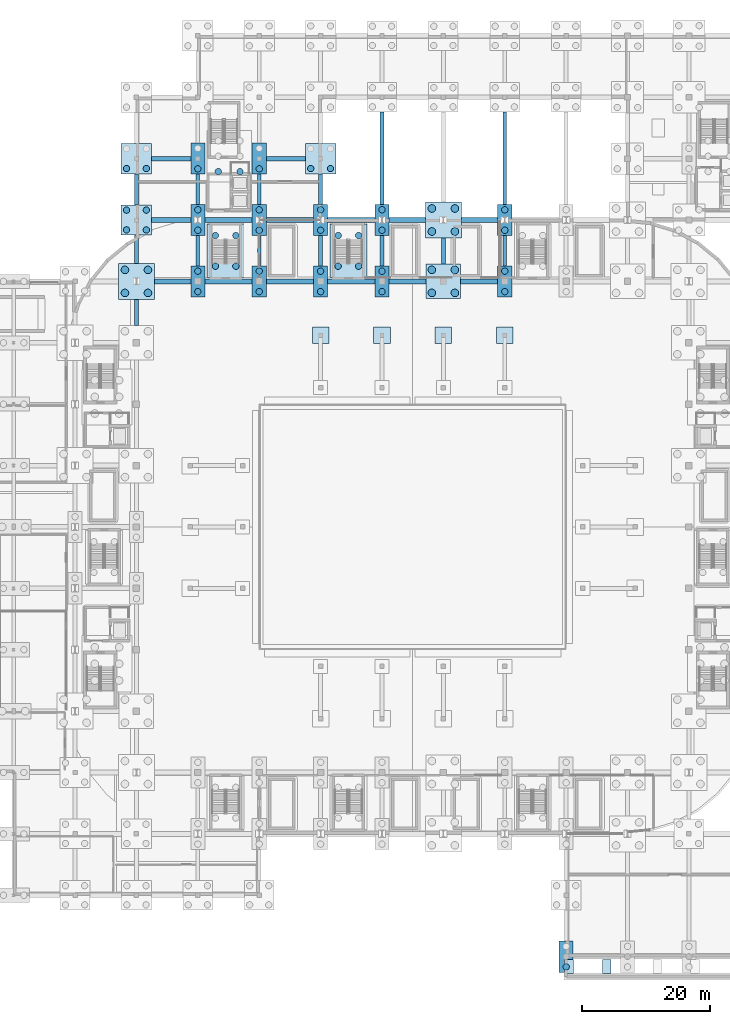
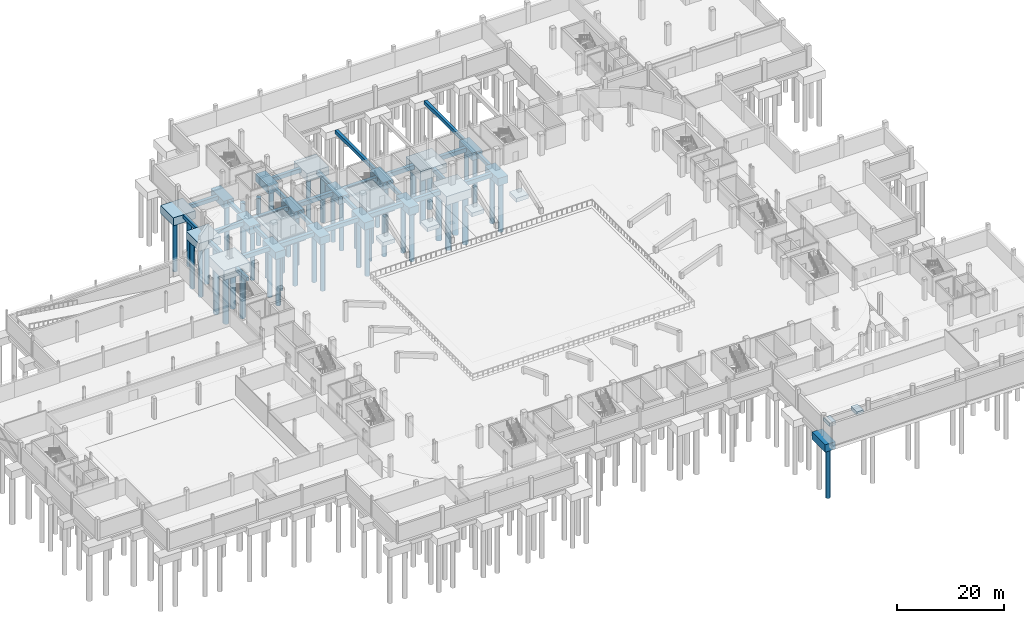
# One storey, part 5 of 67: 55 footings, 53 piles.
"""IFC4 building model written with IfcOpenShell, lengths in metres."""

from ifc_helpers import new_model, si_unit, direction, frame, origin, origin_2d, place, context, subcontext, project, spatial, polyline, rectangle, circle, outline, extrude, material, material_profile, profile_set, type_object, element, save


model = new_model("IFC4")

# Units and contexts
model_context = context("Model", 3, precision=1e-05, world=origin(), true_north=direction((0.0, 1.0)))
body_context = subcontext(model_context, "Body", "Model", "MODEL_VIEW")
ifc_project = project(units=[si_unit("LENGTHUNIT", "METRE"), si_unit("AREAUNIT", "SQUARE_METRE"), si_unit("VOLUMEUNIT", "CUBIC_METRE"), si_unit("PLANEANGLEUNIT", "RADIAN"), si_unit("MASSUNIT", "GRAM", prefix="KILO")], contexts=[model_context])

# Site, building, storey
site_placement = place(None, origin())
site = spatial("IfcSite", under=ifc_project, at=site_placement, CompositionType="ELEMENT")
building_placement = place(site_placement, origin())
building = spatial("IfcBuilding", under=site, at=building_placement, Name="Caelomonte Colonnade Arena", CompositionType="ELEMENT")
storey_placement = place(building_placement, frame((0.0, 0.0, -4.800048828125)))
storey = spatial("IfcBuildingStorey", under=building, at=storey_placement, Name="B1", CompositionType="ELEMENT", Elevation=-4.800048828125)

# Footings
ifc_material = material(Name="Concrete C40/50", Category="concrete")
footing_type_1 = type_object("IfcFootingType", Name="STR-FB-GB01", PredefinedType="FOOTING_BEAM", material=ifc_material)
footing_1_placement = place(storey_placement, frame((0.0, 0.0, -1.39990234375)))
element("IfcFooting", 1, at=footing_1_placement, inside=storey, type_object=footing_type_1, Name="Ground tie beam X (67.2..76.8, Y=105.6)", PredefinedType="FOOTING_BEAM", context=body_context, shape_type="SweptSolid", body=[
    extrude(outline(polyline([(70.0, 105.22509765625), (75.699951171875, 105.22509765625), (75.699951171875, 105.97509765625), (70.0, 105.97509765625), (70.0, 105.22509765625)])), origin(), (0.0, 0.0, 1.0), 0.949951171875),
])
footing_2_placement = place(storey_placement, frame((0.0, 0.0, -1.39990234375)))
element("IfcFooting", 2, at=footing_2_placement, inside=storey, type_object=footing_type_1, Name="Ground tie beam X (76.8..86.4, Y=105.6)", PredefinedType="FOOTING_BEAM", context=body_context, shape_type="SweptSolid", body=[
    extrude(outline(polyline([(77.89990234375, 105.22509765625), (85.300048828125, 105.22509765625), (85.300048828125, 105.97509765625), (77.89990234375, 105.97509765625), (77.89990234375, 105.22509765625)])), origin(), (0.0, 0.0, 1.0), 0.949951171875),
])
footing_3_placement = place(storey_placement, frame((0.0, 0.0, -1.39990234375)))
element("IfcFooting", 3, at=footing_3_placement, inside=storey, type_object=footing_type_1, Name="Ground tie beam X (86.4..96.0, Y=105.6)", PredefinedType="FOOTING_BEAM", context=body_context, shape_type="SweptSolid", body=[
    extrude(outline(polyline([(87.5, 105.22509765625), (94.89990234375, 105.22509765625), (94.89990234375, 105.97509765625), (87.5, 105.97509765625), (87.5, 105.22509765625)])), origin(), (0.0, 0.0, 1.0), 0.949951171875),
])
footing_4_placement = place(storey_placement, frame((0.0, 0.0, -1.39990234375)))
element("IfcFooting", 4, at=footing_4_placement, inside=storey, type_object=footing_type_1, Name="Ground tie beam X (96.0..105.6, Y=105.6)", PredefinedType="FOOTING_BEAM", context=body_context, shape_type="SweptSolid", body=[
    extrude(outline(polyline([(97.10009765625, 105.22509765625), (104.5, 105.22509765625), (104.5, 105.97509765625), (97.10009765625, 105.97509765625), (97.10009765625, 105.22509765625)])), origin(), (0.0, 0.0, 1.0), 0.949951171875),
])
footing_5_placement = place(storey_placement, frame((0.0, 0.0, -1.39990234375)))
element("IfcFooting", 5, at=footing_5_placement, inside=storey, type_object=footing_type_1, Name="Ground tie beam X (105.6..115.2, Y=105.6)", PredefinedType="FOOTING_BEAM", context=body_context, shape_type="SweptSolid", body=[
    extrude(outline(polyline([(106.699951171875, 105.22509765625), (112.5, 105.22509765625), (112.5, 105.97509765625), (106.699951171875, 105.97509765625), (106.699951171875, 105.22509765625)])), origin(), (0.0, 0.0, 1.0), 0.949951171875),
])
footing_6_placement = place(storey_placement, frame((0.0, 0.0, -1.39990234375)))
element("IfcFooting", 6, at=footing_6_placement, inside=storey, type_object=footing_type_1, Name="Ground tie beam X (115.2..124.8, Y=105.6)", PredefinedType="FOOTING_BEAM", context=body_context, shape_type="SweptSolid", body=[
    extrude(outline(polyline([(117.89990234375, 105.22509765625), (123.699951171875, 105.22509765625), (123.699951171875, 105.97509765625), (117.89990234375, 105.97509765625), (117.89990234375, 105.22509765625)])), origin(), (0.0, 0.0, 1.0), 0.949951171875),
])
footing_7_placement = place(storey_placement, frame((0.0, 0.0, -1.39990234375)))
element("IfcFooting", 7, at=footing_7_placement, inside=storey, type_object=footing_type_1, Name="Ground tie beam X (67.2..76.8, Y=115.2)", PredefinedType="FOOTING_BEAM", context=body_context, shape_type="SweptSolid", body=[
    extrude(outline(polyline([(69.580078125, 114.824951171875), (75.699951171875, 114.824951171875), (75.699951171875, 115.574951171875), (69.580078125, 115.574951171875), (69.580078125, 114.824951171875)])), origin(), (0.0, 0.0, 1.0), 0.949951171875),
])
footing_8_placement = place(storey_placement, frame((0.0, 0.0, -1.39990234375)))
element("IfcFooting", 8, at=footing_8_placement, inside=storey, type_object=footing_type_1, Name="Ground tie beam X (76.8..86.4, Y=115.2)", PredefinedType="FOOTING_BEAM", context=body_context, shape_type="SweptSolid", body=[
    extrude(outline(polyline([(77.89990234375, 114.824951171875), (85.300048828125, 114.824951171875), (85.300048828125, 115.574951171875), (77.89990234375, 115.574951171875), (77.89990234375, 114.824951171875)])), origin(), (0.0, 0.0, 1.0), 0.949951171875),
])
footing_9_placement = place(storey_placement, frame((0.0, 0.0, -1.39990234375)))
element("IfcFooting", 9, at=footing_9_placement, inside=storey, type_object=footing_type_1, Name="Ground tie beam X (86.4..96.0, Y=115.2)", PredefinedType="FOOTING_BEAM", context=body_context, shape_type="SweptSolid", body=[
    extrude(outline(polyline([(87.5, 114.824951171875), (94.89990234375, 114.824951171875), (94.89990234375, 115.574951171875), (87.5, 115.574951171875), (87.5, 114.824951171875)])), origin(), (0.0, 0.0, 1.0), 0.949951171875),
])
footing_10_placement = place(storey_placement, frame((0.0, 0.0, -1.39990234375)))
element("IfcFooting", 10, at=footing_10_placement, inside=storey, type_object=footing_type_1, Name="Ground tie beam X (96.0..105.6, Y=115.2)", PredefinedType="FOOTING_BEAM", context=body_context, shape_type="SweptSolid", body=[
    extrude(outline(polyline([(97.10009765625, 114.824951171875), (104.5, 114.824951171875), (104.5, 115.574951171875), (97.10009765625, 115.574951171875), (97.10009765625, 114.824951171875)])), origin(), (0.0, 0.0, 1.0), 0.949951171875),
])
footing_11_placement = place(storey_placement, frame((0.0, 0.0, -1.39990234375)))
element("IfcFooting", 11, at=footing_11_placement, inside=storey, type_object=footing_type_1, Name="Ground tie beam X (105.6..115.2, Y=115.2)", PredefinedType="FOOTING_BEAM", context=body_context, shape_type="SweptSolid", body=[
    extrude(outline(polyline([(106.699951171875, 114.824951171875), (112.39990234375, 114.824951171875), (112.39990234375, 115.574951171875), (106.699951171875, 115.574951171875), (106.699951171875, 114.824951171875)])), origin(), (0.0, 0.0, 1.0), 0.949951171875),
])
footing_12_placement = place(storey_placement, frame((0.0, 0.0, -1.39990234375)))
element("IfcFooting", 12, at=footing_12_placement, inside=storey, type_object=footing_type_1, Name="Ground tie beam X (115.2..124.8, Y=115.2)", PredefinedType="FOOTING_BEAM", context=body_context, shape_type="SweptSolid", body=[
    extrude(outline(polyline([(118.0, 114.824951171875), (123.699951171875, 114.824951171875), (123.699951171875, 115.574951171875), (118.0, 115.574951171875), (118.0, 114.824951171875)])), origin(), (0.0, 0.0, 1.0), 0.949951171875),
])
footing_type_2 = type_object("IfcFootingType", Name="STR-FB-GB02", PredefinedType="FOOTING_BEAM", material=ifc_material)
footing_13_placement = place(storey_placement, frame((0.0, 0.0, -1.349853515625)))
element("IfcFooting", 13, at=footing_13_placement, inside=storey, type_object=footing_type_2, Name="Ground tie beam X (67.2..76.8, Y=124.8)", PredefinedType="FOOTING_BEAM", context=body_context, shape_type="SweptSolid", body=[
    extrude(outline(polyline([(69.580078125, 124.449951171875), (75.699951171875, 124.449951171875), (75.699951171875, 125.14990234375), (69.580078125, 125.14990234375), (69.580078125, 124.449951171875)])), origin(), (0.0, 0.0, 1.0), 0.89990234375),
])
footing_14_placement = place(storey_placement, frame((0.0, 0.0, -1.349853515625)))
element("IfcFooting", 14, at=footing_14_placement, inside=storey, type_object=footing_type_2, Name="Ground tie beam X (86.4..96.0, Y=124.8)", PredefinedType="FOOTING_BEAM", context=body_context, shape_type="SweptSolid", body=[
    extrude(outline(polyline([(87.5, 124.449951171875), (93.6201171875, 124.449951171875), (93.6201171875, 125.14990234375), (87.5, 125.14990234375), (87.5, 124.449951171875)])), origin(), (0.0, 0.0, 1.0), 0.89990234375),
])
footing_type_3 = type_object("IfcFootingType", Name="STR-FB-GB04", PredefinedType="FOOTING_BEAM", material=ifc_material)
footing_15_placement = place(storey_placement, frame((0.0, 0.0, -1.25)))
element("IfcFooting", 15, at=footing_15_placement, inside=storey, type_object=footing_type_3, Name="Ground tie beam Y (X=67.2, 96.0..105.6)", PredefinedType="FOOTING_BEAM", context=body_context, shape_type="SweptSolid", body=[
    extrude(outline(polyline([(66.89990234375, 98.699951171875), (67.5, 98.699951171875), (67.5, 102.800048828125), (66.89990234375, 102.800048828125), (66.89990234375, 98.699951171875)])), origin(), (0.0, 0.0, 1.0), 0.800048828125),
])
footing_16_placement = place(storey_placement, frame((0.0, 0.0, -1.25)))
element("IfcFooting", 16, at=footing_16_placement, inside=storey, type_object=footing_type_3, Name="Ground tie beam Y (X=67.2, 105.6..115.2)", PredefinedType="FOOTING_BEAM", context=body_context, shape_type="SweptSolid", body=[
    extrude(outline(polyline([(66.89990234375, 108.39990234375), (67.5, 108.39990234375), (67.5, 112.820068359375), (66.89990234375, 112.820068359375), (66.89990234375, 108.39990234375)])), origin(), (0.0, 0.0, 1.0), 0.800048828125),
])
footing_17_placement = place(storey_placement, frame((0.0, 0.0, -1.25)))
element("IfcFooting", 17, at=footing_17_placement, inside=storey, type_object=footing_type_3, Name="Ground tie beam Y (X=67.2, 115.2..124.8)", PredefinedType="FOOTING_BEAM", context=body_context, shape_type="SweptSolid", body=[
    extrude(outline(polyline([(66.89990234375, 117.580078125), (67.5, 117.580078125), (67.5, 122.419921875), (66.89990234375, 122.419921875), (66.89990234375, 117.580078125)])), origin(), (0.0, 0.0, 1.0), 0.800048828125),
])
footing_18_placement = place(storey_placement, frame((0.0, 0.0, -1.25)))
element("IfcFooting", 18, at=footing_18_placement, inside=storey, type_object=footing_type_3, Name="Ground tie beam Y (X=76.8, 105.6..115.2)", PredefinedType="FOOTING_BEAM", context=body_context, shape_type="SweptSolid", body=[
    extrude(outline(polyline([(76.5, 108.0400390625), (77.10009765625, 108.0400390625), (77.10009765625, 112.760009765625), (76.5, 112.760009765625), (76.5, 108.0400390625)])), origin(), (0.0, 0.0, 1.0), 0.800048828125),
])
footing_19_placement = place(storey_placement, frame((0.0, 0.0, -1.25)))
element("IfcFooting", 19, at=footing_19_placement, inside=storey, type_object=footing_type_3, Name="Ground tie beam Y (X=76.8, 115.2..124.8)", PredefinedType="FOOTING_BEAM", context=body_context, shape_type="SweptSolid", body=[
    extrude(outline(polyline([(76.5, 117.639892578125), (77.10009765625, 117.639892578125), (77.10009765625, 122.360107421875), (76.5, 122.360107421875), (76.5, 117.639892578125)])), origin(), (0.0, 0.0, 1.0), 0.800048828125),
])
footing_20_placement = place(storey_placement, frame((0.0, 0.0, -1.25)))
element("IfcFooting", 20, at=footing_20_placement, inside=storey, type_object=footing_type_3, Name="Ground tie beam Y (X=86.4, 105.6..115.2)", PredefinedType="FOOTING_BEAM", context=body_context, shape_type="SweptSolid", body=[
    extrude(outline(polyline([(86.10009765625, 108.0400390625), (86.699951171875, 108.0400390625), (86.699951171875, 112.760009765625), (86.10009765625, 112.760009765625), (86.10009765625, 108.0400390625)])), origin(), (0.0, 0.0, 1.0), 0.800048828125),
])
footing_21_placement = place(storey_placement, frame((0.0, 0.0, -1.25)))
element("IfcFooting", 21, at=footing_21_placement, inside=storey, type_object=footing_type_3, Name="Ground tie beam Y (X=86.4, 115.2..124.8)", PredefinedType="FOOTING_BEAM", context=body_context, shape_type="SweptSolid", body=[
    extrude(outline(polyline([(86.10009765625, 117.639892578125), (86.699951171875, 117.639892578125), (86.699951171875, 122.360107421875), (86.10009765625, 122.360107421875), (86.10009765625, 117.639892578125)])), origin(), (0.0, 0.0, 1.0), 0.800048828125),
])
footing_22_placement = place(storey_placement, frame((0.0, 0.0, -1.25)))
element("IfcFooting", 22, at=footing_22_placement, inside=storey, type_object=footing_type_3, Name="Ground tie beam Y (X=96.0, 105.6..115.2)", PredefinedType="FOOTING_BEAM", context=body_context, shape_type="SweptSolid", body=[
    extrude(outline(polyline([(95.699951171875, 108.0400390625), (96.300048828125, 108.0400390625), (96.300048828125, 112.760009765625), (95.699951171875, 112.760009765625), (95.699951171875, 108.0400390625)])), origin(), (0.0, 0.0, 1.0), 0.800048828125),
])
footing_23_placement = place(storey_placement, frame((0.0, 0.0, -1.25)))
element("IfcFooting", 23, at=footing_23_placement, inside=storey, type_object=footing_type_3, Name="Ground tie beam Y (X=96.0, 115.2..124.8)", PredefinedType="FOOTING_BEAM", context=body_context, shape_type="SweptSolid", body=[
    extrude(outline(polyline([(95.699951171875, 117.639892578125), (96.300048828125, 117.639892578125), (96.300048828125, 122.419921875), (95.699951171875, 122.419921875), (95.699951171875, 117.639892578125)])), origin(), (0.0, 0.0, 1.0), 0.800048828125),
])
footing_24_placement = place(storey_placement, frame((0.0, 0.0, -1.25)))
element("IfcFooting", 24, at=footing_24_placement, inside=storey, type_object=footing_type_3, Name="Ground tie beam Y (X=105.6, 105.6..115.2)", PredefinedType="FOOTING_BEAM", context=body_context, shape_type="SweptSolid", body=[
    extrude(outline(polyline([(105.300048828125, 108.0400390625), (105.89990234375, 108.0400390625), (105.89990234375, 112.760009765625), (105.300048828125, 112.760009765625), (105.300048828125, 108.0400390625)])), origin(), (0.0, 0.0, 1.0), 0.800048828125),
])
footing_25_placement = place(storey_placement, frame((0.0, 0.0, -1.25)))
element("IfcFooting", 25, at=footing_25_placement, inside=storey, type_object=footing_type_3, Name="Ground tie beam Y (X=105.6, 115.2..134.4)", PredefinedType="FOOTING_BEAM", context=body_context, shape_type="SweptSolid", body=[
    extrude(outline(polyline([(105.300048828125, 117.639892578125), (105.89990234375, 117.639892578125), (105.89990234375, 132.10009765625), (105.300048828125, 132.10009765625), (105.300048828125, 117.639892578125)])), origin(), (0.0, 0.0, 1.0), 0.800048828125),
])
footing_26_placement = place(storey_placement, frame((0.0, 0.0, -1.25)))
element("IfcFooting", 26, at=footing_26_placement, inside=storey, type_object=footing_type_3, Name="Ground tie beam Y (X=115.2, 105.6..115.2)", PredefinedType="FOOTING_BEAM", context=body_context, shape_type="SweptSolid", body=[
    extrude(outline(polyline([(114.89990234375, 108.300048828125), (115.5, 108.300048828125), (115.5, 112.39990234375), (114.89990234375, 112.39990234375), (114.89990234375, 108.300048828125)])), origin(), (0.0, 0.0, 1.0), 0.800048828125),
])
footing_27_placement = place(storey_placement, frame((0.0, 0.0, -1.25)))
element("IfcFooting", 27, at=footing_27_placement, inside=storey, type_object=footing_type_3, Name="Ground tie beam Y (X=124.8, 105.6..115.2)", PredefinedType="FOOTING_BEAM", context=body_context, shape_type="SweptSolid", body=[
    extrude(outline(polyline([(124.5, 108.0400390625), (125.10009765625, 108.0400390625), (125.10009765625, 112.760009765625), (124.5, 112.760009765625), (124.5, 108.0400390625)])), origin(), (0.0, 0.0, 1.0), 0.800048828125),
])
footing_28_placement = place(storey_placement, frame((0.0, 0.0, -1.25)))
element("IfcFooting", 28, at=footing_28_placement, inside=storey, type_object=footing_type_3, Name="Ground tie beam Y (X=124.8, 115.2..134.4)", PredefinedType="FOOTING_BEAM", context=body_context, shape_type="SweptSolid", body=[
    extrude(outline(polyline([(124.5, 117.639892578125), (125.10009765625, 117.639892578125), (125.10009765625, 132.10009765625), (124.5, 132.10009765625), (124.5, 117.639892578125)])), origin(), (0.0, 0.0, 1.0), 0.800048828125),
])
footing_type_4 = type_object("IfcFootingType", Name="STR-FC-PC01", PredefinedType="PILE_CAP", material=ifc_material)
for number, where, z_axis, x_axis, name in (
    (29, (67.199951171875, 105.60009765625, -2.64990234375), (0.0, 0.0, 1.0), (1.0, 0.0, 0.0), "Pile cap FC-0672-1056"),
    (30, (115.199951171875, 115.199951171875, -2.64990234375), (0.0, 0.0, 1.0), (1.0, 0.0, 0.0), "Pile cap FC-1152-1152"),
):
    element("IfcFooting", number, at=place(storey_placement, frame(where, z_axis=z_axis, x_axis=x_axis)), inside=storey, type_object=footing_type_4, Name=name, PredefinedType="PILE_CAP", context=body_context, shape_type="SweptSolid", body=[
        extrude(rectangle(XDim=5.60009765625, YDim=5.60009765625, at=origin_2d()), origin(), (0.0, 0.0, 1.0), 2.199951171875),
    ])
footing_type_5 = type_object("IfcFootingType", Name="STR-FC-PC02", PredefinedType="PILE_CAP", material=ifc_material)
footing_29_placement = place(storey_placement, frame((115.199951171875, 105.60009765625, -2.449951171875), z_axis=(0.0, 0.0, 1.0), x_axis=(1.0, 0.0, 0.0)))
element("IfcFooting", 31, at=footing_29_placement, inside=storey, type_object=footing_type_5, Name="Pile cap FC-1152-1056", PredefinedType="PILE_CAP", context=body_context, shape_type="SweptSolid", body=[
    extrude(rectangle(XDim=5.39990234375, YDim=5.39990234375, at=origin_2d()), origin(), (0.0, 0.0, 1.0), 2.0),
])
footing_type_6 = type_object("IfcFootingType", Name="STR-FC-PC04", PredefinedType="PILE_CAP", material=ifc_material)
for number, where, z_axis, x_axis, name in (
    (32, (67.199951171875, 115.199951171875, -2.25), (0.0, 0.0, 1.0), (1.0, 0.0, 0.0), "Pile cap FC-0672-1152"),
    (33, (67.199951171875, 124.800048828125, -2.25), (0.0, 0.0, 1.0), (1.0, 0.0, 0.0), "Pile cap FC-0672-1248"),
    (34, (96.0, 124.800048828125, -2.25), (0.0, 0.0, 1.0), (1.0, 0.0, 0.0), "Pile cap FC-0960-1248"),
):
    element("IfcFooting", number, at=place(storey_placement, frame(where, z_axis=z_axis, x_axis=x_axis)), inside=storey, type_object=footing_type_6, Name=name, PredefinedType="PILE_CAP", context=body_context, shape_type="SweptSolid", body=[
        extrude(rectangle(XDim=4.760009765625, YDim=4.760009765625, at=origin_2d()), origin(), (0.0, 0.0, 1.0), 1.800048828125),
    ])
footing_type_7 = type_object("IfcFootingType", Name="STR-FC-PC07", PredefinedType="PILE_CAP", material=ifc_material)
for number, where, z_axis, x_axis, name in (
    (35, (76.800048828125, 105.60009765625, -2.14990234375), (0.0, 0.0, 1.0), (1.0, 0.0, 0.0), "Pile cap FC-0768-1056"),
    (36, (76.800048828125, 115.199951171875, -2.14990234375), (0.0, 0.0, 1.0), (1.0, 0.0, 0.0), "Pile cap FC-0768-1152"),
    (37, (76.800048828125, 124.800048828125, -2.14990234375), (0.0, 0.0, 1.0), (1.0, 0.0, 0.0), "Pile cap FC-0768-1248"),
    (38, (86.39990234375, 105.60009765625, -2.14990234375), (0.0, 0.0, 1.0), (1.0, 0.0, 0.0), "Pile cap FC-0864-1056"),
    (39, (86.39990234375, 115.199951171875, -2.14990234375), (0.0, 0.0, 1.0), (1.0, 0.0, 0.0), "Pile cap FC-0864-1152"),
    (40, (86.39990234375, 124.800048828125, -2.14990234375), (0.0, 0.0, 1.0), (1.0, 0.0, 0.0), "Pile cap FC-0864-1248"),
    (41, (96.0, 105.60009765625, -2.14990234375), (0.0, 0.0, 1.0), (1.0, 0.0, 0.0), "Pile cap FC-0960-1056"),
    (42, (96.0, 115.199951171875, -2.14990234375), (0.0, 0.0, 1.0), (1.0, 0.0, 0.0), "Pile cap FC-0960-1152"),
    (43, (105.60009765625, 105.60009765625, -2.14990234375), (0.0, 0.0, 1.0), (1.0, 0.0, 0.0), "Pile cap FC-1056-1056"),
    (44, (105.60009765625, 115.199951171875, -2.14990234375), (0.0, 0.0, 1.0), (1.0, 0.0, 0.0), "Pile cap FC-1056-1152"),
    (45, (124.800048828125, 105.60009765625, -2.14990234375), (0.0, 0.0, 1.0), (1.0, 0.0, 0.0), "Pile cap FC-1248-1056"),
    (46, (124.800048828125, 115.199951171875, -2.14990234375), (0.0, 0.0, 1.0), (1.0, 0.0, 0.0), "Pile cap FC-1248-1152"),
    (47, (134.39990234375, 0.0, -2.14990234375), (0.0, 0.0, 1.0), (1.0, 0.0, 0.0), "Pile cap FC-1344-0000"),
):
    element("IfcFooting", number, at=place(storey_placement, frame(where, z_axis=z_axis, x_axis=x_axis)), inside=storey, type_object=footing_type_7, Name=name, PredefinedType="PILE_CAP", context=body_context, shape_type="SweptSolid", body=[
        extrude(rectangle(XDim=2.199951171875, YDim=4.8798828125, at=origin_2d()), origin(), (0.0, 0.0, 1.0), 1.699951171875),
    ])
footing_type_8 = type_object("IfcFootingType", Name="STR-FC-PC12", PredefinedType="PILE_CAP", material=ifc_material)
for number, where, z_axis, x_axis, name in (
    (48, (81.14990234375, 110.375, -2.349853515625), (0.0, 0.0, 1.0), (1.0, 0.0, 0.0), "Exit stair ST-14 pile cap"),
    (49, (100.35009765625, 110.375, -2.349853515625), (0.0, 0.0, 1.0), (1.0, 0.0, 0.0), "Exit stair ST-15 pile cap"),
):
    element("IfcFooting", number, at=place(storey_placement, frame(where, z_axis=z_axis, x_axis=x_axis)), inside=storey, type_object=footing_type_8, Name=name, PredefinedType="PILE_CAP", context=body_context, shape_type="SweptSolid", body=[
        extrude(rectangle(XDim=5.800048828125, YDim=8.39990234375, at=origin_2d()), origin(), (0.0, 0.0, 1.0), 1.89990234375),
    ])
footing_type_9 = type_object("IfcFootingType", Name="STR-FD-PF01", PredefinedType="PAD_FOOTING", material=ifc_material)
for number, where, z_axis, x_axis, name in (
    (50, (96.0, 97.199951171875, -1.349853515625), (0.0, 0.0, 1.0), (1.0, 0.0, 0.0), "Raker mid pier footing N-96"),
    (51, (105.60009765625, 97.199951171875, -1.349853515625), (0.0, 0.0, 1.0), (1.0, 0.0, 0.0), "Raker mid pier footing N-105"),
    (52, (115.199951171875, 97.199951171875, -1.349853515625), (0.0, 0.0, 1.0), (1.0, 0.0, 0.0), "Raker mid pier footing N-115"),
    (53, (124.800048828125, 97.199951171875, -1.349853515625), (0.0, 0.0, 1.0), (1.0, 0.0, 0.0), "Raker mid pier footing N-124"),
):
    element("IfcFooting", number, at=place(storey_placement, frame(where, z_axis=z_axis, x_axis=x_axis)), inside=storey, type_object=footing_type_9, Name=name, PredefinedType="PAD_FOOTING", context=body_context, shape_type="SweptSolid", body=[
        extrude(rectangle(XDim=2.60009765625, YDim=2.60009765625, at=origin_2d()), origin(), (0.0, 0.0, 1.0), 0.89990234375),
    ])
footing_type_10 = type_object("IfcFootingType", Name="STR-FD-PF02", PredefinedType="PAD_FOOTING", material=ifc_material)
for number, where, z_axis, x_axis, name in (
    (54, (134.85009765625, -1.550048828125, 3.52001953125), (0.0, 0.0, 1.0), (1.0, 0.0, 0.0), "Accessible ramp PR-01 toe footing"),
    (55, (140.75, -1.550048828125, 4.02001953125), (0.0, 0.0, 1.0), (1.0, 0.0, 0.0), "Accessible ramp PR-01 head footing"),
):
    element("IfcFooting", number, at=place(storey_placement, frame(where, z_axis=z_axis, x_axis=x_axis)), inside=storey, type_object=footing_type_10, Name=name, PredefinedType="PAD_FOOTING", context=body_context, shape_type="SweptSolid", body=[
        extrude(rectangle(XDim=1.39990234375, YDim=2.199951171875, at=origin_2d()), origin(), (0.0, 0.0, 1.0), 0.800048828125),
    ])

# Piles
ifc_material_profile_1 = material_profile(ifc_material, circle(Radius=0.5, at=origin_2d()), Name="PILE-D1000")
ifc_profile_set_1 = profile_set([ifc_material_profile_1], Name="Concrete C40/50")
pile_type_1 = type_object("IfcPileType", Name="STR-PL-D1000", PredefinedType="BORED", material=ifc_profile_set_1)
for number, where, z_axis, x_axis, name in (
    (56, (80.0, 122.77490234375, -2.349853515625), (0.0, 0.0, -1.0), (1.0, 0.0, 0.0), "Core C7 rock-socketed pile 1"),
    (57, (83.39990234375, 122.77490234375, -2.349853515625), (0.0, 0.0, -1.0), (1.0, 0.0, 0.0), "Core C7 rock-socketed pile 4"),
):
    element("IfcPile", number, at=place(storey_placement, frame(where, z_axis=z_axis, x_axis=x_axis)), inside=storey, type_object=pile_type_1, Name=name, PredefinedType="BORED", context=body_context, shape_type="SweptSolid", body=[
        extrude(circle(Radius=0.5, at=origin_2d()), origin(), (0.0, 0.0, 1.0), 10.85009765625),
    ])
for number, where, z_axis, x_axis, name in (
    (58, (79.550048828125, 107.97509765625, -2.25), (0.0, 0.0, -1.0), (1.0, 0.0, 0.0), "Stair ST-14 rock-socketed pile 1"),
    (59, (79.550048828125, 112.77490234375, -2.25), (0.0, 0.0, -1.0), (1.0, 0.0, 0.0), "Stair ST-14 rock-socketed pile 2"),
    (60, (82.75, 107.97509765625, -2.25), (0.0, 0.0, -1.0), (1.0, 0.0, 0.0), "Stair ST-14 rock-socketed pile 3"),
    (61, (82.75, 112.77490234375, -2.25), (0.0, 0.0, -1.0), (1.0, 0.0, 0.0), "Stair ST-14 rock-socketed pile 4"),
    (62, (98.75, 107.97509765625, -2.25), (0.0, 0.0, -1.0), (1.0, 0.0, 0.0), "Stair ST-15 rock-socketed pile 1"),
    (63, (98.75, 112.77490234375, -2.25), (0.0, 0.0, -1.0), (1.0, 0.0, 0.0), "Stair ST-15 rock-socketed pile 2"),
    (64, (101.949951171875, 107.97509765625, -2.25), (0.0, 0.0, -1.0), (1.0, 0.0, 0.0), "Stair ST-15 rock-socketed pile 3"),
    (65, (101.949951171875, 112.77490234375, -2.25), (0.0, 0.0, -1.0), (1.0, 0.0, 0.0), "Stair ST-15 rock-socketed pile 4"),
):
    element("IfcPile", number, at=place(storey_placement, frame(where, z_axis=z_axis, x_axis=x_axis)), inside=storey, type_object=pile_type_1, Name=name, PredefinedType="BORED", context=body_context, shape_type="SweptSolid", body=[
        extrude(circle(Radius=0.5, at=origin_2d()), origin(), (0.0, 0.0, 1.0), 10.949951171875),
    ])
for number, where, z_axis, x_axis, name in (
    (66, (65.64990234375, 113.64990234375, -2.14990234375), (0.0, 0.0, -1.0), (1.0, 0.0, 0.0), "Rock-socketed bored pile FC-0672-1152-1"),
    (67, (68.75, 113.64990234375, -2.14990234375), (0.0, 0.0, -1.0), (1.0, 0.0, 0.0), "Rock-socketed bored pile FC-0672-1152-2"),
    (68, (65.64990234375, 116.75, -2.14990234375), (0.0, 0.0, -1.0), (1.0, 0.0, 0.0), "Rock-socketed bored pile FC-0672-1152-3"),
    (69, (68.75, 116.75, -2.14990234375), (0.0, 0.0, -1.0), (1.0, 0.0, 0.0), "Rock-socketed bored pile FC-0672-1152-4"),
    (70, (65.64990234375, 123.25, -2.14990234375), (0.0, 0.0, -1.0), (1.0, 0.0, 0.0), "Rock-socketed bored pile FC-0672-1248-1"),
    (71, (68.75, 123.25, -2.14990234375), (0.0, 0.0, -1.0), (1.0, 0.0, 0.0), "Rock-socketed bored pile FC-0672-1248-2"),
):
    element("IfcPile", number, at=place(storey_placement, frame(where, z_axis=z_axis, x_axis=x_axis)), inside=storey, type_object=pile_type_1, Name=name, PredefinedType="BORED", context=body_context, shape_type="SweptSolid", body=[
        extrude(circle(Radius=0.5, at=origin_2d()), origin(), (0.0, 0.0, 1.0), 11.050048828125),
    ])
for number, where, z_axis, x_axis, name in (
    (72, (76.800048828125, 104.0, -2.050048828125), (0.0, 0.0, -1.0), (1.0, 0.0, 0.0), "Rock-socketed bored pile FC-0768-1056-1"),
    (73, (76.800048828125, 107.199951171875, -2.050048828125), (0.0, 0.0, -1.0), (1.0, 0.0, 0.0), "Rock-socketed bored pile FC-0768-1056-2"),
    (74, (76.800048828125, 113.60009765625, -2.050048828125), (0.0, 0.0, -1.0), (1.0, 0.0, 0.0), "Rock-socketed bored pile FC-0768-1152-1"),
    (75, (76.800048828125, 116.800048828125, -2.050048828125), (0.0, 0.0, -1.0), (1.0, 0.0, 0.0), "Rock-socketed bored pile FC-0768-1152-2"),
    (76, (76.800048828125, 123.199951171875, -2.050048828125), (0.0, 0.0, -1.0), (1.0, 0.0, 0.0), "Rock-socketed bored pile FC-0768-1248-1"),
    (77, (86.39990234375, 104.0, -2.050048828125), (0.0, 0.0, -1.0), (1.0, 0.0, 0.0), "Rock-socketed bored pile FC-0864-1056-1"),
    (78, (86.39990234375, 107.199951171875, -2.050048828125), (0.0, 0.0, -1.0), (1.0, 0.0, 0.0), "Rock-socketed bored pile FC-0864-1056-2"),
    (79, (86.39990234375, 113.60009765625, -2.050048828125), (0.0, 0.0, -1.0), (1.0, 0.0, 0.0), "Rock-socketed bored pile FC-0864-1152-1"),
    (80, (86.39990234375, 116.800048828125, -2.050048828125), (0.0, 0.0, -1.0), (1.0, 0.0, 0.0), "Rock-socketed bored pile FC-0864-1152-2"),
    (81, (86.39990234375, 123.199951171875, -2.050048828125), (0.0, 0.0, -1.0), (1.0, 0.0, 0.0), "Rock-socketed bored pile FC-0864-1248-1"),
    (82, (96.0, 104.0, -2.050048828125), (0.0, 0.0, -1.0), (1.0, 0.0, 0.0), "Rock-socketed bored pile FC-0960-1056-1"),
    (83, (96.0, 107.199951171875, -2.050048828125), (0.0, 0.0, -1.0), (1.0, 0.0, 0.0), "Rock-socketed bored pile FC-0960-1056-2"),
    (84, (96.0, 113.60009765625, -2.050048828125), (0.0, 0.0, -1.0), (1.0, 0.0, 0.0), "Rock-socketed bored pile FC-0960-1152-1"),
    (85, (96.0, 116.800048828125, -2.050048828125), (0.0, 0.0, -1.0), (1.0, 0.0, 0.0), "Rock-socketed bored pile FC-0960-1152-2"),
):
    element("IfcPile", number, at=place(storey_placement, frame(where, z_axis=z_axis, x_axis=x_axis)), inside=storey, type_object=pile_type_1, Name=name, PredefinedType="BORED", context=body_context, shape_type="SweptSolid", body=[
        extrude(circle(Radius=0.5, at=origin_2d()), origin(), (0.0, 0.0, 1.0), 11.14990234375),
    ])
for number, where, z_axis, x_axis, name in (
    (86, (94.449951171875, 123.25, -2.14990234375), (0.0, 0.0, -1.0), (1.0, 0.0, 0.0), "Rock-socketed bored pile FC-0960-1248-1"),
    (87, (97.550048828125, 123.25, -2.14990234375), (0.0, 0.0, -1.0), (1.0, 0.0, 0.0), "Rock-socketed bored pile FC-0960-1248-2"),
):
    element("IfcPile", number, at=place(storey_placement, frame(where, z_axis=z_axis, x_axis=x_axis)), inside=storey, type_object=pile_type_1, Name=name, PredefinedType="BORED", context=body_context, shape_type="SweptSolid", body=[
        extrude(circle(Radius=0.5, at=origin_2d()), origin(), (0.0, 0.0, 1.0), 11.050048828125),
    ])
for number, where, z_axis, x_axis, name in (
    (88, (105.60009765625, 104.0, -2.050048828125), (0.0, 0.0, -1.0), (1.0, 0.0, 0.0), "Rock-socketed bored pile FC-1056-1056-1"),
    (89, (105.60009765625, 107.199951171875, -2.050048828125), (0.0, 0.0, -1.0), (1.0, 0.0, 0.0), "Rock-socketed bored pile FC-1056-1056-2"),
    (90, (105.60009765625, 113.60009765625, -2.050048828125), (0.0, 0.0, -1.0), (1.0, 0.0, 0.0), "Rock-socketed bored pile FC-1056-1152-1"),
    (91, (105.60009765625, 116.800048828125, -2.050048828125), (0.0, 0.0, -1.0), (1.0, 0.0, 0.0), "Rock-socketed bored pile FC-1056-1152-2"),
    (92, (124.800048828125, 104.0, -2.050048828125), (0.0, 0.0, -1.0), (1.0, 0.0, 0.0), "Rock-socketed bored pile FC-1248-1056-1"),
    (93, (124.800048828125, 107.199951171875, -2.050048828125), (0.0, 0.0, -1.0), (1.0, 0.0, 0.0), "Rock-socketed bored pile FC-1248-1056-2"),
    (94, (124.800048828125, 113.60009765625, -2.050048828125), (0.0, 0.0, -1.0), (1.0, 0.0, 0.0), "Rock-socketed bored pile FC-1248-1152-1"),
    (95, (124.800048828125, 116.800048828125, -2.050048828125), (0.0, 0.0, -1.0), (1.0, 0.0, 0.0), "Rock-socketed bored pile FC-1248-1152-2"),
    (96, (134.39990234375, -1.60009765625, -2.050048828125), (0.0, 0.0, -1.0), (1.0, 0.0, 0.0), "Rock-socketed bored pile FC-1344-0000-1"),
):
    element("IfcPile", number, at=place(storey_placement, frame(where, z_axis=z_axis, x_axis=x_axis)), inside=storey, type_object=pile_type_1, Name=name, PredefinedType="BORED", context=body_context, shape_type="SweptSolid", body=[
        extrude(circle(Radius=0.5, at=origin_2d()), origin(), (0.0, 0.0, 1.0), 11.14990234375),
    ])
ifc_material_profile_2 = material_profile(ifc_material, circle(Radius=0.60009765625, at=origin_2d()), Name="PILE-D1200")
ifc_profile_set_2 = profile_set([ifc_material_profile_2], Name="Concrete C40/50")
pile_type_2 = type_object("IfcPileType", Name="STR-PL-D1200", PredefinedType="BORED", material=ifc_profile_set_2)
for number, where, z_axis, x_axis, name in (
    (97, (65.39990234375, 103.800048828125, -2.550048828125), (0.0, 0.0, -1.0), (1.0, 0.0, 0.0), "Rock-socketed bored pile FC-0672-1056-1"),
    (98, (69.0, 103.800048828125, -2.550048828125), (0.0, 0.0, -1.0), (1.0, 0.0, 0.0), "Rock-socketed bored pile FC-0672-1056-2"),
    (99, (65.39990234375, 107.39990234375, -2.550048828125), (0.0, 0.0, -1.0), (1.0, 0.0, 0.0), "Rock-socketed bored pile FC-0672-1056-3"),
    (100, (69.0, 107.39990234375, -2.550048828125), (0.0, 0.0, -1.0), (1.0, 0.0, 0.0), "Rock-socketed bored pile FC-0672-1056-4"),
):
    element("IfcPile", number, at=place(storey_placement, frame(where, z_axis=z_axis, x_axis=x_axis)), inside=storey, type_object=pile_type_2, Name=name, PredefinedType="BORED", context=body_context, shape_type="SweptSolid", body=[
        extrude(circle(Radius=0.60009765625, at=origin_2d()), origin(), (0.0, 0.0, 1.0), 10.64990234375),
    ])
for number, where, z_axis, x_axis, name in (
    (101, (113.39990234375, 103.800048828125, -2.349853515625), (0.0, 0.0, -1.0), (1.0, 0.0, 0.0), "Rock-socketed bored pile FC-1152-1056-1"),
    (102, (117.0, 103.800048828125, -2.349853515625), (0.0, 0.0, -1.0), (1.0, 0.0, 0.0), "Rock-socketed bored pile FC-1152-1056-2"),
    (103, (113.39990234375, 107.39990234375, -2.349853515625), (0.0, 0.0, -1.0), (1.0, 0.0, 0.0), "Rock-socketed bored pile FC-1152-1056-3"),
    (104, (117.0, 107.39990234375, -2.349853515625), (0.0, 0.0, -1.0), (1.0, 0.0, 0.0), "Rock-socketed bored pile FC-1152-1056-4"),
):
    element("IfcPile", number, at=place(storey_placement, frame(where, z_axis=z_axis, x_axis=x_axis)), inside=storey, type_object=pile_type_2, Name=name, PredefinedType="BORED", context=body_context, shape_type="SweptSolid", body=[
        extrude(circle(Radius=0.60009765625, at=origin_2d()), origin(), (0.0, 0.0, 1.0), 10.85009765625),
    ])
for number, where, z_axis, x_axis, name in (
    (105, (113.39990234375, 113.39990234375, -2.550048828125), (0.0, 0.0, -1.0), (1.0, 0.0, 0.0), "Rock-socketed bored pile FC-1152-1152-1"),
    (106, (117.0, 113.39990234375, -2.550048828125), (0.0, 0.0, -1.0), (1.0, 0.0, 0.0), "Rock-socketed bored pile FC-1152-1152-2"),
    (107, (113.39990234375, 117.0, -2.550048828125), (0.0, 0.0, -1.0), (1.0, 0.0, 0.0), "Rock-socketed bored pile FC-1152-1152-3"),
    (108, (117.0, 117.0, -2.550048828125), (0.0, 0.0, -1.0), (1.0, 0.0, 0.0), "Rock-socketed bored pile FC-1152-1152-4"),
):
    element("IfcPile", number, at=place(storey_placement, frame(where, z_axis=z_axis, x_axis=x_axis)), inside=storey, type_object=pile_type_2, Name=name, PredefinedType="BORED", context=body_context, shape_type="SweptSolid", body=[
        extrude(circle(Radius=0.60009765625, at=origin_2d()), origin(), (0.0, 0.0, 1.0), 10.64990234375),
    ])

save(model, "model.ifc")
